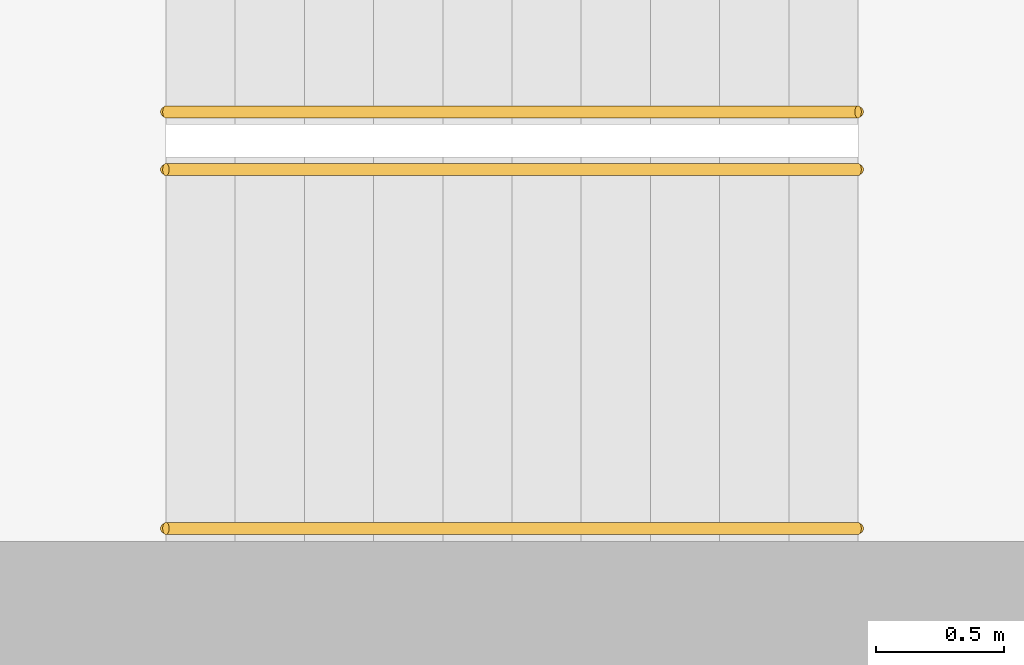
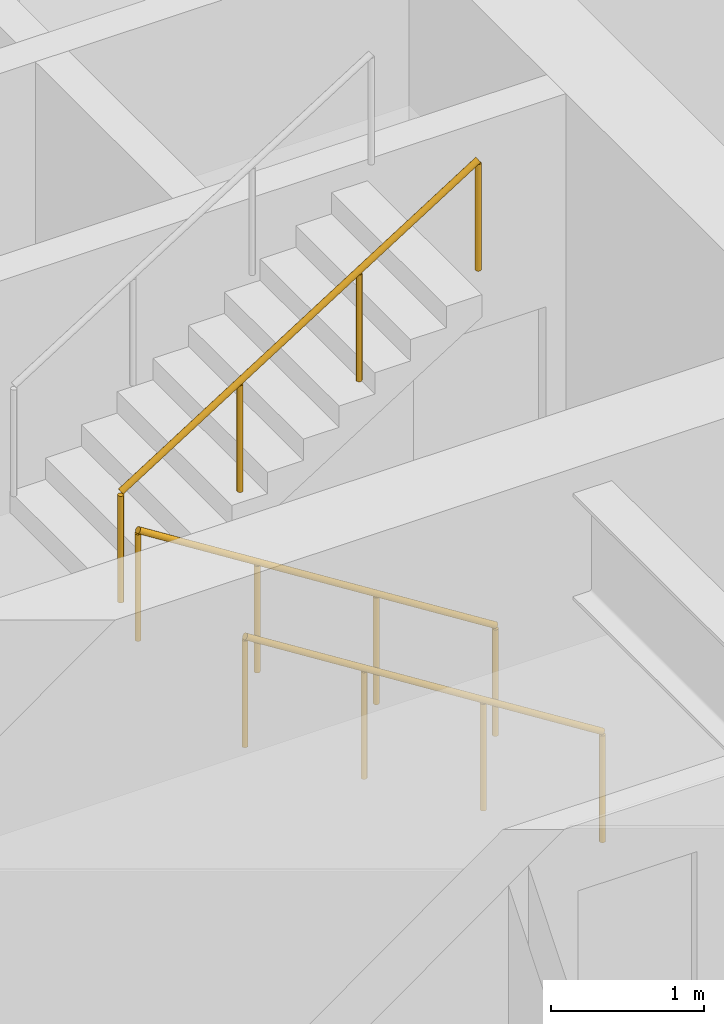
# One storey, part 14 of 17: 3 railings.
"""IFC4 building model written with IfcOpenShell, lengths in metres."""

from ifc_helpers import new_model, si_unit, direction, frame, origin, origin_2d, place, context, subcontext, project, spatial, circle, extrude, material, type_object, element, save


model = new_model("IFC4")

# Units and contexts
model_context = context("Model", 3, precision=1e-05, world=origin(), true_north=direction((0.0, 1.0)))
body_context = subcontext(model_context, "Body", "Model", "MODEL_VIEW")
ifc_project = project(units=[si_unit("LENGTHUNIT", "METRE"), si_unit("AREAUNIT", "SQUARE_METRE"), si_unit("VOLUMEUNIT", "CUBIC_METRE"), si_unit("PLANEANGLEUNIT", "RADIAN"), si_unit("MASSUNIT", "GRAM", prefix="KILO")], contexts=[model_context])

# Site, building, storey
site_placement = place(None, origin())
site = spatial("IfcSite", under=ifc_project, at=site_placement, CompositionType="ELEMENT")
building_placement = place(site_placement, origin())
building = spatial("IfcBuilding", under=site, at=building_placement, Name="Msasa Ring Tower", CompositionType="ELEMENT")
storey_placement = place(building_placement, frame((0.0, 0.0, 242.050048828125)))
storey = spatial("IfcBuildingStorey", under=building, at=storey_placement, Name="L63", CompositionType="ELEMENT", Elevation=242.050048828125)

# Railings
ifc_material = material(Name="Stainless steel", Category="steel")
railing_type = type_object("IfcRailingType", Name="HR1 HANDRAIL 900", PredefinedType="HANDRAIL", material=ifc_material)
for number, where, name in (
    (1, (-10.800048828125, -6.39990234375, 0.17041015625), "Handrail stair SWA L63 1"),
    (2, (-10.800048828125, -5.0, 0.17041015625), "Handrail stair SWA L63 2"),
):
    element("IfcRailing", number, at=place(storey_placement, frame(where)), inside=storey, type_object=railing_type, Name=name, PredefinedType="HANDRAIL", context=body_context, shape_type="SweptSolid", body=[
        extrude(circle(Radius=0.02392578125, at=origin_2d()), frame((0.0, 0.0, 0.8759765625), z_axis=(-0.845579735284, 0.0, 0.533849146555), x_axis=(0.0, -1.0, 0.0)), (0.0, 0.0, 1.0), 3.193115234375),
        extrude(circle(Radius=0.02099609375, at=origin_2d()), origin(), (0.0, 0.0, 1.0), 0.851806640625),
        extrude(circle(Radius=0.02099609375, at=origin_2d()), frame((-0.89990234375, 0.0, 0.568115234375)), (0.0, 0.0, 1.0), 0.851806640625),
        extrude(circle(Radius=0.02099609375, at=origin_2d()), frame((-1.800048828125, 0.0, 1.136474609375)), (0.0, 0.0, 1.0), 0.851806640625),
        extrude(circle(Radius=0.02099609375, at=origin_2d()), frame((-2.699951171875, 0.0, 1.70458984375)), (0.0, 0.0, 1.0), 0.851806640625),
    ])
railing_placement = place(storey_placement, frame((-13.5, -4.77490234375, 2.04541015625)))
element("IfcRailing", 3, at=railing_placement, inside=storey, type_object=railing_type, Name="Handrail stair SWA L63 3", PredefinedType="HANDRAIL", context=body_context, shape_type="SweptSolid", body=[
    extrude(circle(Radius=0.02392578125, at=origin_2d()), frame((0.0, 0.0, 0.8759765625), z_axis=(0.845579735284, 0.0, 0.533849146555), x_axis=(0.0, 1.0, 0.0)), (0.0, 0.0, 1.0), 3.193115234375),
    extrude(circle(Radius=0.02099609375, at=origin_2d()), origin(), (0.0, 0.0, 1.0), 0.851806640625),
    extrude(circle(Radius=0.02099609375, at=origin_2d()), frame((0.89990234375, 0.0, 0.568115234375)), (0.0, 0.0, 1.0), 0.851806640625),
    extrude(circle(Radius=0.02099609375, at=origin_2d()), frame((1.800048828125, 0.0, 1.136474609375)), (0.0, 0.0, 1.0), 0.851806640625),
    extrude(circle(Radius=0.02099609375, at=origin_2d()), frame((2.699951171875, 0.0, 1.70458984375)), (0.0, 0.0, 1.0), 0.851806640625),
])

save(model, "model.ifc")
